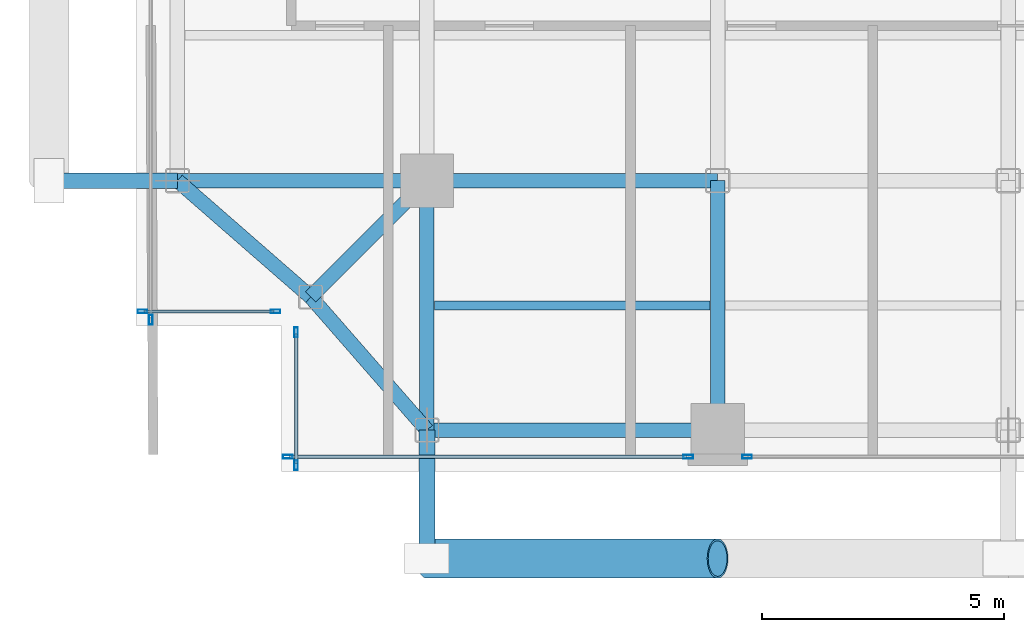
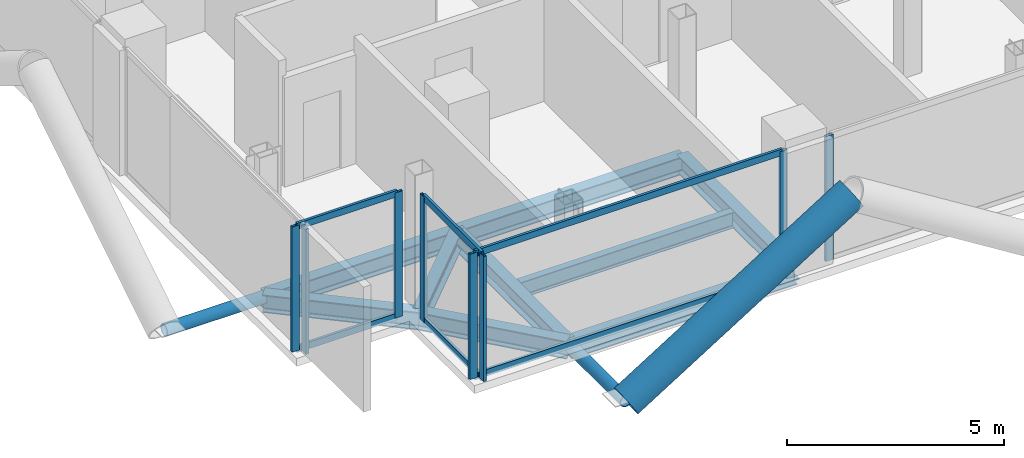
# One storey, part 2 of 28: 17 members, 9 beams, 5 elements without a shape of their own.
"""IFC4 building model written with IfcOpenShell, lengths in metres."""

from ifc_helpers import new_model, si_unit, direction, frame, origin, origin_2d, place, context, subcontext, project, spatial, hollow_rectangle, hollow_circle, i_section, extrude, material, layer, layer_set, material_profile, profile_set, type_object, element, aggregate, save


model = new_model("IFC4")

# Units and contexts
model_context = context("Model", 3, precision=1e-05, world=origin(), true_north=direction((0.0, 1.0)))
body_context = subcontext(model_context, "Body", "Model", "MODEL_VIEW")
ifc_project = project(units=[si_unit("LENGTHUNIT", "METRE"), si_unit("AREAUNIT", "SQUARE_METRE"), si_unit("VOLUMEUNIT", "CUBIC_METRE"), si_unit("PLANEANGLEUNIT", "RADIAN"), si_unit("MASSUNIT", "GRAM", prefix="KILO"), si_unit("THERMODYNAMICTEMPERATUREUNIT", "KELVIN"), si_unit("POWERUNIT", "WATT")], contexts=[model_context])

# Site, building, storey
site_placement = place(None, origin())
site = spatial("IfcSite", under=ifc_project, at=site_placement, CompositionType="ELEMENT")
building_placement = place(site_placement, origin())
building = spatial("IfcBuilding", under=site, at=building_placement, Name="Svarakhadi Broadcast Tower", CompositionType="ELEMENT")
storey_placement = place(building_placement, frame((0.0, 0.0, 119.39990234375)))
storey = spatial("IfcBuildingStorey", under=building, at=storey_placement, Name="L28", CompositionType="ELEMENT", Elevation=119.39990234375)

# Beam
ifc_material_1 = material(Name="Steel S355J2 (IS 2062 E350C)", Category="steel")
ifc_material_profile_1 = material_profile(ifc_material_1, i_section(OverallWidth=0.18994140625, OverallDepth=0.449951171875, WebThickness=0.009521484375, FlangeThickness=0.0146484375, FilletRadius=0.02099609375, at=origin_2d()), Name="NPB 450x190x78")
ifc_profile_set_1 = profile_set([ifc_material_profile_1], Name="Steel S355J2 (IS 2062 E350C)")
beam_type_1 = type_object("IfcBeamType", Name="Beam_NPB450", PredefinedType="BEAM", material=ifc_profile_set_1)
beam_1_placement = place(storey_placement, frame((6.159912109375, 3.425048828125, -0.449951171875), z_axis=(1.0, 0.0, 0.0), x_axis=(0.0, 1.0, 0.0)))
element("IfcBeam", 1, at=beam_1_placement, inside=storey, type_object=beam_type_1, Name="L28 Secondary Composite Beam SB006", PredefinedType="BEAM", context=body_context, shape_type="SweptSolid", body=[
    extrude(i_section(OverallWidth=0.18994140625, OverallDepth=0.449951171875, WebThickness=0.009521484375, FlangeThickness=0.0146484375, FilletRadius=0.02099609375, at=origin_2d()), origin(), (0.0, 0.0, 1.0), 5.68017578125),
])

# Curtain wall, members
ifc_material_2 = material(Name="Anodised Bronze Aluminium AA 6063-T6", Category="aluminium")
ifc_layer = layer(ifc_material_2, 0.199951171875)
ifc_layer_set = layer_set([ifc_layer], Name="Anodised Bronze Aluminium AA 6063-T6")
curtain_wall_type = type_object("IfcCurtainWallType", Name="CW_Sys_03", PredefinedType="NOTDEFINED", material=ifc_layer_set)
curtain_wall_1_placement = place(storey_placement, origin())
curtain_wall_1 = element("IfcCurtainWall", 2, at=curtain_wall_1_placement, inside=storey, type_object=curtain_wall_type, Name="L28 Unitised Facade Curtain Wall 01", PredefinedType="NOTDEFINED")
ifc_material_profile_2 = material_profile(ifc_material_2, hollow_rectangle(XDim=0.074951171875, YDim=0.199951171875, WallThickness=0.005615234375, at=origin_2d()), Name="ALU MULLION 200x75x6")
ifc_profile_set_2 = profile_set([ifc_material_profile_2], Name="Anodised Bronze Aluminium AA 6063-T6")
member_type_1 = type_object("IfcMemberType", Name="CW_Sys_03_Mul", PredefinedType="MULLION", material=ifc_profile_set_2)
member_1_placement = place(storey_placement, frame((2.87255859375, 3.300048828125, 0.0), z_axis=(0.0, 0.0, 1.0), x_axis=(0.0, -1.0, 0.0)))
member_1 = element("IfcMember", 3, at=member_1_placement, type_object=member_type_1, Name="CW-03 mullion 1", PredefinedType="MULLION", context=body_context, shape_type="SweptSolid", body=[
    extrude(hollow_rectangle(XDim=0.074951171875, YDim=0.199951171875, WallThickness=0.005615234375, at=origin_2d()), origin(), (0.0, 0.0, 1.0), 3.525146484375),
])
member_2_placement = place(storey_placement, frame((0.12744140625, 3.300048828125, 0.0), z_axis=(0.0, 0.0, 1.0), x_axis=(0.0, -1.0, 0.0)))
member_2 = element("IfcMember", 4, at=member_2_placement, type_object=member_type_1, Name="CW-03 mullion 2", PredefinedType="MULLION", context=body_context, shape_type="SweptSolid", body=[
    extrude(hollow_rectangle(XDim=0.074951171875, YDim=0.199951171875, WallThickness=0.005615234375, at=origin_2d()), origin(), (0.0, 0.0, 1.0), 3.525146484375),
])

# Curtain wall, member
curtain_wall_2_placement = place(storey_placement, origin())
curtain_wall_2 = element("IfcCurtainWall", 5, at=curtain_wall_2_placement, inside=storey, type_object=curtain_wall_type, Name="L28 West Curtain Wall 02 Bay 1", PredefinedType="NOTDEFINED")
member_3_placement = place(storey_placement, frame((0.300048828125, 3.12744140625, 0.0), z_axis=(0.0, 0.0, 1.0), x_axis=(-1.0, 0.0, 0.0)))
member_3 = element("IfcMember", 6, at=member_3_placement, type_object=member_type_1, Name="CW-03 mullion 1", PredefinedType="MULLION", context=body_context, shape_type="SweptSolid", body=[
    extrude(hollow_rectangle(XDim=0.074951171875, YDim=0.199951171875, WallThickness=0.005615234375, at=origin_2d()), origin(), (0.0, 0.0, 1.0), 3.525146484375),
])
aggregate(curtain_wall_2, [member_3])

curtain_wall_3_placement = place(storey_placement, origin())
curtain_wall_3 = element("IfcCurtainWall", 7, at=curtain_wall_3_placement, inside=storey, type_object=curtain_wall_type, Name="L28 South Curtain Wall 17 Bay 3", PredefinedType="NOTDEFINED")
member_4_placement = place(storey_placement, frame((12.607421875, 0.300048828125, 0.0), z_axis=(0.0, 0.0, 1.0), x_axis=(0.0, -1.0, 0.0)))
member_4 = element("IfcMember", 8, at=member_4_placement, type_object=member_type_1, Name="CW-03 mullion 2", PredefinedType="MULLION", context=body_context, shape_type="SweptSolid", body=[
    extrude(hollow_rectangle(XDim=0.074951171875, YDim=0.199951171875, WallThickness=0.005615234375, at=origin_2d()), origin(), (0.0, 0.0, 1.0), 3.525146484375),
])
aggregate(curtain_wall_3, [member_4])

# Curtain wall, members
curtain_wall_4_placement = place(storey_placement, origin())
curtain_wall_4 = element("IfcCurtainWall", 9, at=curtain_wall_4_placement, inside=storey, type_object=curtain_wall_type, Name="L28 South Curtain Wall 17 Bay 4", PredefinedType="NOTDEFINED")
member_5_placement = place(storey_placement, frame((11.392578125, 0.300048828125, 0.0), z_axis=(0.0, 0.0, 1.0), x_axis=(0.0, -1.0, 0.0)))
member_5 = element("IfcMember", 10, at=member_5_placement, type_object=member_type_1, Name="CW-03 mullion 1", PredefinedType="MULLION", context=body_context, shape_type="SweptSolid", body=[
    extrude(hollow_rectangle(XDim=0.074951171875, YDim=0.199951171875, WallThickness=0.005615234375, at=origin_2d()), origin(), (0.0, 0.0, 1.0), 3.525146484375),
])
member_6_placement = place(storey_placement, frame((3.12744140625, 0.300048828125, 0.0), z_axis=(0.0, 0.0, 1.0), x_axis=(0.0, -1.0, 0.0)))
member_6 = element("IfcMember", 11, at=member_6_placement, type_object=member_type_1, Name="CW-03 mullion 2", PredefinedType="MULLION", context=body_context, shape_type="SweptSolid", body=[
    extrude(hollow_rectangle(XDim=0.074951171875, YDim=0.199951171875, WallThickness=0.005615234375, at=origin_2d()), origin(), (0.0, 0.0, 1.0), 3.525146484375),
])

curtain_wall_5_placement = place(storey_placement, origin())
curtain_wall_5 = element("IfcCurtainWall", 12, at=curtain_wall_5_placement, inside=storey, type_object=curtain_wall_type, Name="L28 Unitised Facade Curtain Wall 18", PredefinedType="NOTDEFINED")
member_7_placement = place(storey_placement, frame((3.300048828125, 0.12744140625, 0.0), z_axis=(0.0, 0.0, 1.0), x_axis=(-1.0, 0.0, 0.0)))
member_7 = element("IfcMember", 13, at=member_7_placement, type_object=member_type_1, Name="CW-03 mullion 1", PredefinedType="MULLION", context=body_context, shape_type="SweptSolid", body=[
    extrude(hollow_rectangle(XDim=0.074951171875, YDim=0.199951171875, WallThickness=0.005615234375, at=origin_2d()), origin(), (0.0, 0.0, 1.0), 3.525146484375),
])
member_8_placement = place(storey_placement, frame((3.300048828125, 2.87255859375, 0.0), z_axis=(0.0, 0.0, 1.0), x_axis=(-1.0, 0.0, 0.0)))
member_8 = element("IfcMember", 14, at=member_8_placement, type_object=member_type_1, Name="CW-03 mullion 2", PredefinedType="MULLION", context=body_context, shape_type="SweptSolid", body=[
    extrude(hollow_rectangle(XDim=0.074951171875, YDim=0.199951171875, WallThickness=0.005615234375, at=origin_2d()), origin(), (0.0, 0.0, 1.0), 3.525146484375),
])

# Member
ifc_material_profile_3 = material_profile(ifc_material_2, hollow_rectangle(XDim=0.070068359375, YDim=0.18505859375, WallThickness=0.0048828125, at=origin_2d()), Name="ALU TRANSOM 185x70x5")
ifc_profile_set_3 = profile_set([ifc_material_profile_3], Name="Anodised Bronze Aluminium AA 6063-T6")
member_type_2 = type_object("IfcMemberType", Name="CW_Sys_03_Trn", PredefinedType="USERDEFINED", material=ifc_profile_set_3)
member_9_placement = place(storey_placement, frame((2.8349609375, 3.300048828125, 0.03515625), z_axis=(-1.0, 0.0, 0.0), x_axis=(0.0, -1.0, 0.0)))
member_9 = element("IfcMember", 15, at=member_9_placement, type_object=member_type_2, Name="CW-03 transom 1.1", ObjectType="TRANSOM", PredefinedType="USERDEFINED", context=body_context, shape_type="SweptSolid", body=[
    extrude(hollow_rectangle(XDim=0.070068359375, YDim=0.18505859375, WallThickness=0.0048828125, at=origin_2d()), origin(), (0.0, 0.0, 1.0), 2.669921875),
])

member_10_placement = place(storey_placement, frame((2.8349609375, 3.300048828125, 3.489990234375), z_axis=(-1.0, 0.0, 0.0), x_axis=(0.0, -1.0, 0.0)))
member_10 = element("IfcMember", 16, at=member_10_placement, type_object=member_type_2, Name="CW-03 transom 1.2", ObjectType="TRANSOM", PredefinedType="USERDEFINED", context=body_context, shape_type="SweptSolid", body=[
    extrude(hollow_rectangle(XDim=0.070068359375, YDim=0.18505859375, WallThickness=0.0048828125, at=origin_2d()), origin(), (0.0, 0.0, 1.0), 2.669921875),
])

aggregate(curtain_wall_1, [member_1, member_2, member_9, member_10])

member_11_placement = place(storey_placement, frame((11.35498046875, 0.300048828125, 0.03515625), z_axis=(-1.0, 0.0, 0.0), x_axis=(0.0, -1.0, 0.0)))
member_11 = element("IfcMember", 17, at=member_11_placement, type_object=member_type_2, Name="CW-03 transom 1.1", ObjectType="TRANSOM", PredefinedType="USERDEFINED", context=body_context, shape_type="SweptSolid", body=[
    extrude(hollow_rectangle(XDim=0.070068359375, YDim=0.18505859375, WallThickness=0.0048828125, at=origin_2d()), origin(), (0.0, 0.0, 1.0), 8.18994140625),
])

member_12_placement = place(storey_placement, frame((11.35498046875, 0.300048828125, 3.489990234375), z_axis=(-1.0, 0.0, 0.0), x_axis=(0.0, -1.0, 0.0)))
member_12 = element("IfcMember", 18, at=member_12_placement, type_object=member_type_2, Name="CW-03 transom 1.2", ObjectType="TRANSOM", PredefinedType="USERDEFINED", context=body_context, shape_type="SweptSolid", body=[
    extrude(hollow_rectangle(XDim=0.070068359375, YDim=0.18505859375, WallThickness=0.0048828125, at=origin_2d()), origin(), (0.0, 0.0, 1.0), 8.18994140625),
])

aggregate(curtain_wall_4, [member_5, member_6, member_11, member_12])

member_13_placement = place(storey_placement, frame((3.300048828125, 0.1650390625, 0.03515625), z_axis=(0.0, 1.0, 0.0), x_axis=(-1.0, 0.0, 0.0)))
member_13 = element("IfcMember", 19, at=member_13_placement, type_object=member_type_2, Name="CW-03 transom 1.1", ObjectType="TRANSOM", PredefinedType="USERDEFINED", context=body_context, shape_type="SweptSolid", body=[
    extrude(hollow_rectangle(XDim=0.070068359375, YDim=0.18505859375, WallThickness=0.0048828125, at=origin_2d()), origin(), (0.0, 0.0, 1.0), 2.669921875),
])

member_14_placement = place(storey_placement, frame((3.300048828125, 0.1650390625, 3.489990234375), z_axis=(0.0, 1.0, 0.0), x_axis=(-1.0, 0.0, 0.0)))
member_14 = element("IfcMember", 20, at=member_14_placement, type_object=member_type_2, Name="CW-03 transom 1.2", ObjectType="TRANSOM", PredefinedType="USERDEFINED", context=body_context, shape_type="SweptSolid", body=[
    extrude(hollow_rectangle(XDim=0.070068359375, YDim=0.18505859375, WallThickness=0.0048828125, at=origin_2d()), origin(), (0.0, 0.0, 1.0), 2.669921875),
])

aggregate(curtain_wall_5, [member_7, member_8, member_13, member_14])

# Members
ifc_material_3 = material(Name="Steel S460ML (IS 2062 E450BR)", Category="steel")
ifc_material_profile_4 = material_profile(ifc_material_3, hollow_circle(Radius=0.406494140625, WallThickness=0.0400390625, at=origin_2d()), Name="CHS 813x40")
ifc_profile_set_4 = profile_set([ifc_material_profile_4], Name="Steel S460ML (IS 2062 E450BR)")
member_type_3 = type_object("IfcMemberType", Name="Exo_Brace_CHS813", PredefinedType="BRACE", material=ifc_profile_set_4)
member_15_placement = place(storey_placement, frame((6.0, -1.800048828125, -0.386962890625), z_axis=(0.847998304005, 0.0, 0.529998940003), x_axis=(0.0, 1.0, 0.0)))
element("IfcMember", 21, at=member_15_placement, inside=storey, type_object=member_type_3, Name="L28 Exposed Bronze Exoskeleton Diagonal S01", PredefinedType="BRACE", context=body_context, shape_type="SweptSolid", body=[
    extrude(hollow_circle(Radius=0.406494140625, WallThickness=0.0400390625, at=origin_2d()), origin(), (0.0, 0.0, 1.0), 7.075439453125),
])
ifc_material_profile_5 = material_profile(ifc_material_3, hollow_circle(Radius=0.161865234375, WallThickness=0.01611328125, at=origin_2d()), Name="CHS 323.9x16")
ifc_profile_set_5 = profile_set([ifc_material_profile_5], Name="Steel S460ML (IS 2062 E450BR)")
member_type_4 = type_object("IfcMemberType", Name="Exo_Radial_Strut_Z2", PredefinedType="STRUT", material=ifc_profile_set_5)
for number, where, z_axis, x_axis, name in (
    (22, (6.0, -1.800048828125, -0.386962890625), (0.0, 1.0, 0.0), (-1.0, 0.0, 0.0), "L28 Exoskeleton Radial Tie Strut S01"),
    (23, (-1.800048828125, 6.0, -0.386962890625), (1.0, 0.0, 0.0), (0.0, 1.0, 0.0), "L28 Exoskeleton Radial Tie Strut W05"),
):
    element("IfcMember", number, at=place(storey_placement, frame(where, z_axis=z_axis, x_axis=x_axis)), inside=storey, type_object=member_type_4, Name=name, PredefinedType="STRUT", context=body_context, shape_type="SweptSolid", body=[
        extrude(hollow_circle(Radius=0.161865234375, WallThickness=0.01611328125, at=origin_2d()), origin(), (0.0, 0.0, 1.0), 2.650146484375),
    ])

# Beams
ifc_material_profile_6 = material_profile(ifc_material_1, i_section(OverallWidth=0.300048828125, OverallDepth=0.5, WebThickness=0.014404296875, FlangeThickness=0.028076171875, FilletRadius=0.027099609375, at=origin_2d()), Name="WPB 500x300x187")
ifc_profile_set_6 = profile_set([ifc_material_profile_6], Name="Steel S355J2 (IS 2062 E350C)")
beam_type_2 = type_object("IfcBeamType", Name="Girder_WPB500", PredefinedType="USERDEFINED", material=ifc_profile_set_6)
beam_2_placement = place(storey_placement, frame((3.60009765625, 3.60009765625, -0.474853515625), z_axis=(0.707106781187, 0.707106781187, 0.0), x_axis=(-0.707106781187, 0.707106781187, 0.0)))
element("IfcBeam", 24, at=beam_2_placement, inside=storey, type_object=beam_type_2, Name="L28 Corner Tie Girder G001", ObjectType="GIRDER", PredefinedType="USERDEFINED", context=body_context, shape_type="SweptSolid", body=[
    extrude(i_section(OverallWidth=0.300048828125, OverallDepth=0.5, WebThickness=0.014404296875, FlangeThickness=0.028076171875, FilletRadius=0.027099609375, at=origin_2d()), origin(), (0.0, 0.0, 1.0), 3.39404296875),
])
for number, where, z_axis, x_axis, name in (
    (25, (3.60009765625, 3.60009765625, -0.474853515625), (-0.753437912176, 0.657519058655, 0.0), (-0.657519058655, -0.753437912176, 0.0), "L28 Corner Tie Girder G002"),
    (26, (3.60009765625, 3.60009765625, -0.474853515625), (0.657519058655, -0.753437912176, 0.0), (0.753437912176, 0.657519058655, 0.0), "L28 Corner Tie Girder G003"),
):
    element("IfcBeam", number, at=place(storey_placement, frame(where, z_axis=z_axis, x_axis=x_axis)), inside=storey, type_object=beam_type_2, Name=name, ObjectType="GIRDER", PredefinedType="USERDEFINED", context=body_context, shape_type="SweptSolid", body=[
        extrude(i_section(OverallWidth=0.300048828125, OverallDepth=0.5, WebThickness=0.014404296875, FlangeThickness=0.028076171875, FilletRadius=0.027099609375, at=origin_2d()), origin(), (0.0, 0.0, 1.0), 3.64990234375),
    ])
beam_3_placement = place(storey_placement, frame((6.0, 0.85009765625, -0.474853515625), z_axis=(1.0, 0.0, 0.0), x_axis=(0.0, 1.0, 0.0)))
element("IfcBeam", 27, at=beam_3_placement, inside=storey, type_object=beam_type_2, Name="L28 Primary E-W Girder G004", ObjectType="GIRDER", PredefinedType="USERDEFINED", context=body_context, shape_type="SweptSolid", body=[
    extrude(i_section(OverallWidth=0.300048828125, OverallDepth=0.5, WebThickness=0.014404296875, FlangeThickness=0.028076171875, FilletRadius=0.027099609375, at=origin_2d()), origin(), (0.0, 0.0, 1.0), 6.0),
])
beam_4_placement = place(storey_placement, frame((0.85009765625, 6.0, -0.474853515625), z_axis=(1.0, 0.0, 0.0), x_axis=(0.0, 1.0, 0.0)))
element("IfcBeam", 28, at=beam_4_placement, inside=storey, type_object=beam_type_2, Name="L28 Primary E-W Girder G010", ObjectType="GIRDER", PredefinedType="USERDEFINED", context=body_context, shape_type="SweptSolid", body=[
    extrude(i_section(OverallWidth=0.300048828125, OverallDepth=0.5, WebThickness=0.014404296875, FlangeThickness=0.028076171875, FilletRadius=0.027099609375, at=origin_2d()), origin(), (0.0, 0.0, 1.0), 5.14990234375),
])
beam_5_placement = place(storey_placement, frame((6.0, 6.0, -0.474853515625), z_axis=(1.0, 0.0, 0.0), x_axis=(0.0, 1.0, 0.0)))
element("IfcBeam", 29, at=beam_5_placement, inside=storey, type_object=beam_type_2, Name="L28 Primary E-W Girder G011", ObjectType="GIRDER", PredefinedType="USERDEFINED", context=body_context, shape_type="SweptSolid", body=[
    extrude(i_section(OverallWidth=0.300048828125, OverallDepth=0.5, WebThickness=0.014404296875, FlangeThickness=0.028076171875, FilletRadius=0.027099609375, at=origin_2d()), origin(), (0.0, 0.0, 1.0), 6.0),
])
for number, where, z_axis, x_axis, name in (
    (30, (6.0, 0.85009765625, -0.474853515625), (0.0, 1.0, 0.0), (-1.0, 0.0, 0.0), "L28 Primary N-S Girder G045"),
    (31, (12.0, 0.85009765625, -0.474853515625), (0.0, 1.0, 0.0), (-1.0, 0.0, 0.0), "L28 Primary N-S Girder G051"),
):
    element("IfcBeam", number, at=place(storey_placement, frame(where, z_axis=z_axis, x_axis=x_axis)), inside=storey, type_object=beam_type_2, Name=name, ObjectType="GIRDER", PredefinedType="USERDEFINED", context=body_context, shape_type="SweptSolid", body=[
        extrude(i_section(OverallWidth=0.300048828125, OverallDepth=0.5, WebThickness=0.014404296875, FlangeThickness=0.028076171875, FilletRadius=0.027099609375, at=origin_2d()), origin(), (0.0, 0.0, 1.0), 5.14990234375),
    ])

save(model, "model.ifc")
